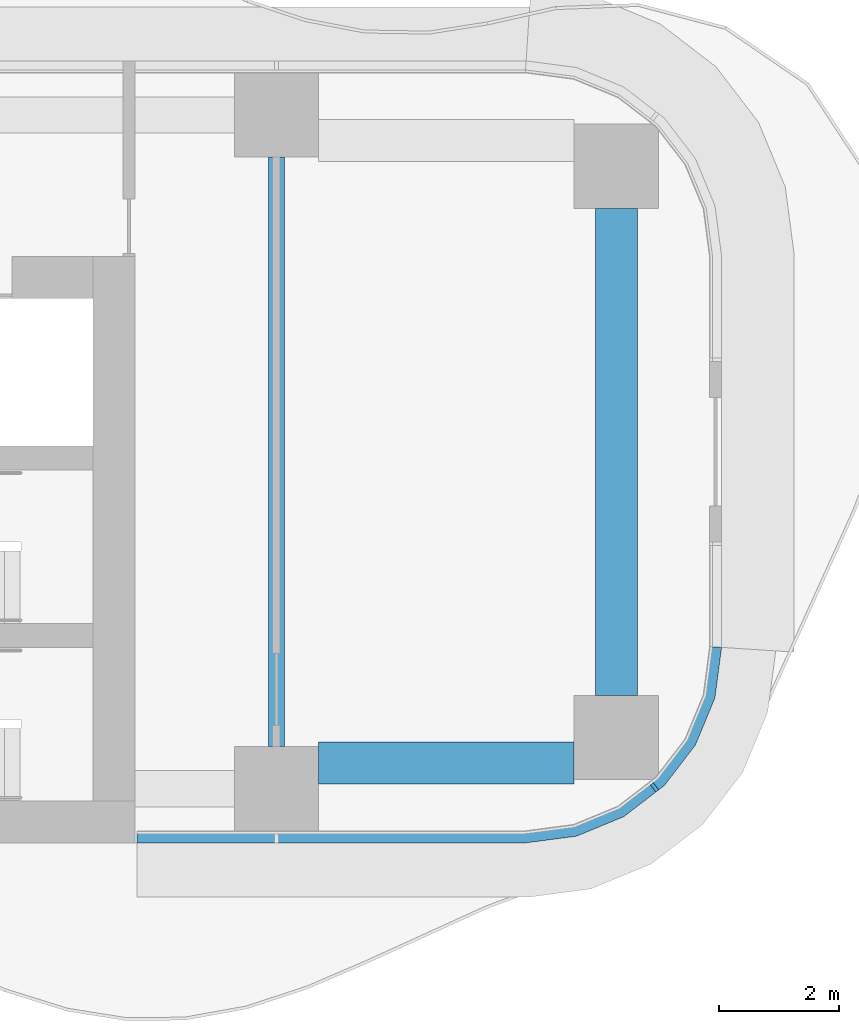
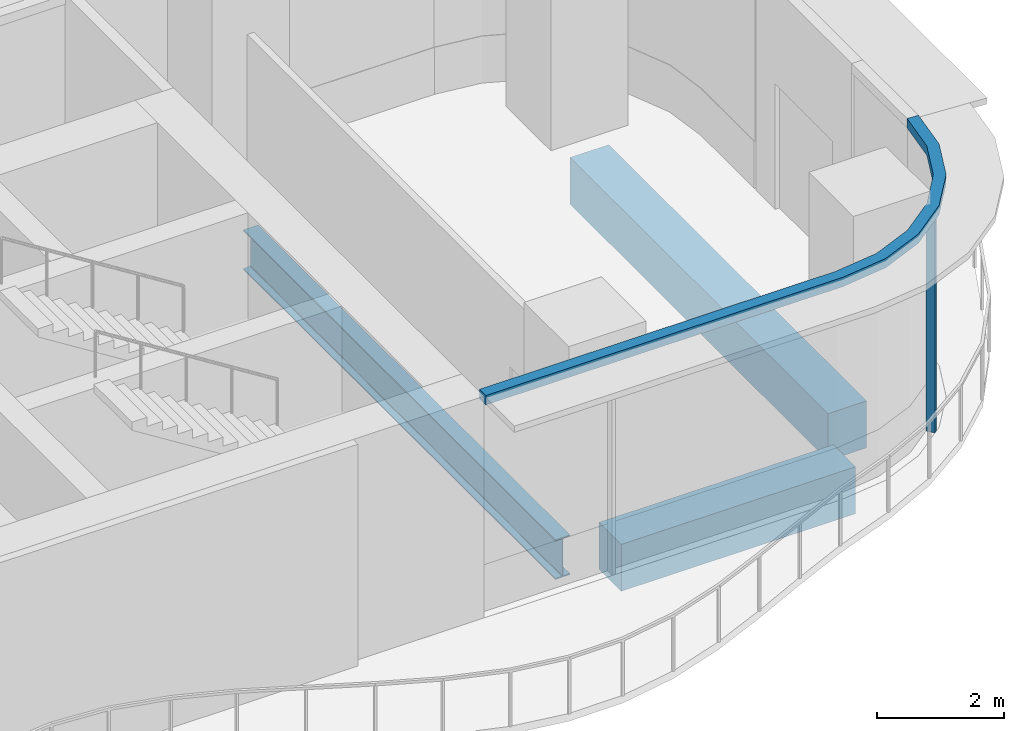
# One storey, part 7 of 22: 3 beams, 2 members, 1 element without a shape of its own.
"""IFC4 building model written with IfcOpenShell, lengths in metres."""

from ifc_helpers import new_model, si_unit, direction, frame, origin, origin_2d, place, context, subcontext, project, spatial, polyline, rectangle, i_section, outline, extrude, source, transform, mapped, material, layer, layer_set, material_profile, profile_set, type_object, element, aggregate, save


model = new_model("IFC4")

# Units and contexts
model_context = context("Model", 3, precision=1e-05, world=origin(), true_north=direction((0.0, 1.0)))
body_context = subcontext(model_context, "Body", "Model", "MODEL_VIEW")
ifc_project = project(units=[si_unit("LENGTHUNIT", "METRE"), si_unit("AREAUNIT", "SQUARE_METRE"), si_unit("VOLUMEUNIT", "CUBIC_METRE"), si_unit("PLANEANGLEUNIT", "RADIAN"), si_unit("MASSUNIT", "GRAM", prefix="KILO")], contexts=[model_context])

# Site, building, storey
site_placement = place(None, origin())
site = spatial("IfcSite", under=ifc_project, at=site_placement, CompositionType="ELEMENT")
building_placement = place(site_placement, origin())
building = spatial("IfcBuilding", under=site, at=building_placement, Name="Trellis Farm Tower", CompositionType="ELEMENT")
storey_placement = place(building_placement, frame((0.0, 0.0, 38.5)))
storey = spatial("IfcBuildingStorey", under=building, at=storey_placement, Name="L07", CompositionType="ELEMENT", Elevation=38.5)

# Beams
ifc_material_1 = material(Name="Steel S355", Category="steel")
ifc_material_profile_1 = material_profile(ifc_material_1, i_section(OverallWidth=0.2666015625, OverallDepth=0.76220703125, WebThickness=0.014404296875, FlangeThickness=0.021484375, FilletRadius=0.0166015625, at=origin_2d()), Name="UB 762x267x173")
ifc_profile_set_1 = profile_set([ifc_material_profile_1], Name="Steel S355")
beam_type_1 = type_object("IfcBeamType", Name="UB 762x267x173", PredefinedType="BEAM", material=ifc_profile_set_1)
shared_shape_1 = source(origin(), body_context, "Body", "SweptSolid", [
    extrude(i_section(OverallWidth=0.2666015625, OverallDepth=0.76220703125, WebThickness=0.014404296875, FlangeThickness=0.021484375, FilletRadius=0.0166015625, at=origin_2d()), origin(), (0.0, 0.0, 1.0), 9.7998046875),
])
beam_1_placement = place(storey_placement, frame((25.10009765625, -4.89990234375, -0.631103515625), z_axis=(0.0, 1.0, 0.0), x_axis=(-1.0, 0.0, 0.0)))
element("IfcBeam", 1, at=beam_1_placement, inside=storey, type_object=beam_type_1, Name="Girder", PredefinedType="BEAM", context=body_context, shape_type="MappedRepresentation", body=[
    mapped(shared_shape_1, transform((0.0, 0.0, 0.0))),
])
ifc_material_2 = material(Name="Concrete C60/75", Category="concrete")
ifc_material_profile_2 = material_profile(ifc_material_2, rectangle(XDim=0.699951171875, YDim=0.89990234375, at=origin_2d()), Name="RC spandrel beam 700x900 C60/75")
ifc_profile_set_2 = profile_set([ifc_material_profile_2], Name="Concrete C60/75")
beam_type_2 = type_object("IfcBeamType", Name="RC spandrel beam 700x900 C60/75", PredefinedType="SPANDREL", material=ifc_profile_set_2)
shared_shape_2 = source(origin(), body_context, "Body", "SweptSolid", [
    extrude(rectangle(XDim=0.699951171875, YDim=0.89990234375, at=origin_2d()), origin(), (0.0, 0.0, 1.0), 4.25),
])
beam_2_placement = place(storey_placement, frame((25.800048828125, -5.175048828125, -0.699951171875), z_axis=(1.0, 0.0, 0.0), x_axis=(0.0, 1.0, 0.0)))
element("IfcBeam", 2, at=beam_2_placement, inside=storey, type_object=beam_type_2, Name="Girder", PredefinedType="SPANDREL", context=body_context, shape_type="MappedRepresentation", body=[
    mapped(shared_shape_2, transform((0.0, 0.0, 0.0))),
])
shared_shape_3 = source(origin(), body_context, "Body", "SweptSolid", [
    extrude(rectangle(XDim=0.699951171875, YDim=0.89990234375, at=origin_2d()), origin(), (0.0, 0.0, 1.0), 8.10009765625),
])
beam_3_placement = place(storey_placement, frame((30.75, -4.050048828125, -0.699951171875), z_axis=(0.0, 1.0, 0.0), x_axis=(-1.0, 0.0, 0.0)))
element("IfcBeam", 3, at=beam_3_placement, inside=storey, type_object=beam_type_2, Name="Girder", PredefinedType="SPANDREL", context=body_context, shape_type="MappedRepresentation", body=[
    mapped(shared_shape_3, transform((0.0, 0.0, 0.0))),
])

# Curtain wall, members
ifc_material_3 = material(Name="Aluminium and glass curtain wall", Category="aluminium")
ifc_layer_1 = layer(ifc_material_3, 0.18994140625)
ifc_layer_set_1 = layer_set([ifc_layer_1], Name="RIBBON CURTAIN WALL CW1")
curtain_wall_type = type_object("IfcCurtainWallType", Name="RIBBON CURTAIN WALL CW1", PredefinedType="NOTDEFINED", material=ifc_layer_set_1)
curtain_wall_placement = place(storey_placement, origin())
curtain_wall = element("IfcCurtainWall", 4, at=curtain_wall_placement, inside=storey, type_object=curtain_wall_type, Name="CW1 005", PredefinedType="NOTDEFINED")
ifc_material_4 = material(Name="Aluminium extrusion 6063-T6", Category="aluminium")
ifc_material_profile_3 = material_profile(ifc_material_4, rectangle(XDim=0.06005859375, YDim=0.14990234375, at=origin_2d()), Name="MULLION 60x150")
ifc_profile_set_3 = profile_set([ifc_material_profile_3], Name="Aluminium extrusion 6063-T6")
member_type_1 = type_object("IfcMemberType", Name="CW1 MULLION 60x150", PredefinedType="MULLION", material=ifc_profile_set_3)
shared_shape_4 = source(origin(), body_context, "Body", "SweptSolid", [
    extrude(rectangle(XDim=0.06005859375, YDim=0.14990234375, at=origin_2d()), origin(), (0.0, 0.0, 1.0), 4.070068359375),
])
member_1_placement = place(storey_placement, frame((31.385498046875, -5.578369140625, 0.0), z_axis=(0.0, 0.0, 1.0), x_axis=(0.793353340291, 0.608761429009, 0.0)))
member_1 = element("IfcMember", 5, at=member_1_placement, type_object=member_type_1, Name="MU1 005-02", PredefinedType="MULLION", context=body_context, shape_type="MappedRepresentation", body=[
    mapped(shared_shape_4, transform((0.0, 0.0, 0.0))),
])
ifc_layer_2 = layer(ifc_material_4, 0.199951171875)
ifc_layer_set_2 = layer_set([ifc_layer_2], Name="Aluminium extrusion 6063-T6")
member_type_2 = type_object("IfcMemberType", Name="CW1 TRANSOM 200x180", PredefinedType="USERDEFINED", material=ifc_layer_set_2)
shared_shape_5 = source(origin(), body_context, "Body", "SweptSolid", [
    extrude(outline(polyline([(22.780029296875, -6.5), (29.25, -6.5), (30.091064453125, -6.38916015625), (30.875, -6.064697265625), (31.548095703125, -5.548095703125), (32.064697265625, -4.875), (32.38916015625, -4.091064453125), (32.5, -3.25), (32.300048828125, -3.23681640625), (32.1943359375, -4.0390625), (31.889892578125, -4.774169921875), (31.405517578125, -5.405517578125), (30.774169921875, -5.889892578125), (30.0390625, -6.1943359375), (29.23681640625, -6.300048828125), (22.780029296875, -6.300048828125), (22.780029296875, -6.5)])), origin(), (0.0, 0.0, 1.0), 0.179931640625),
])
member_2_placement = place(storey_placement, frame((0.0, 0.0, 4.070068359375)))
member_2 = element("IfcMember", 6, at=member_2_placement, type_object=member_type_2, Name="TR1 005", ObjectType="TRANSOM", PredefinedType="USERDEFINED", context=body_context, shape_type="MappedRepresentation", body=[
    mapped(shared_shape_5, transform((0.0, 0.0, 0.0))),
])
aggregate(curtain_wall, [member_1, member_2])

save(model, "model.ifc")
